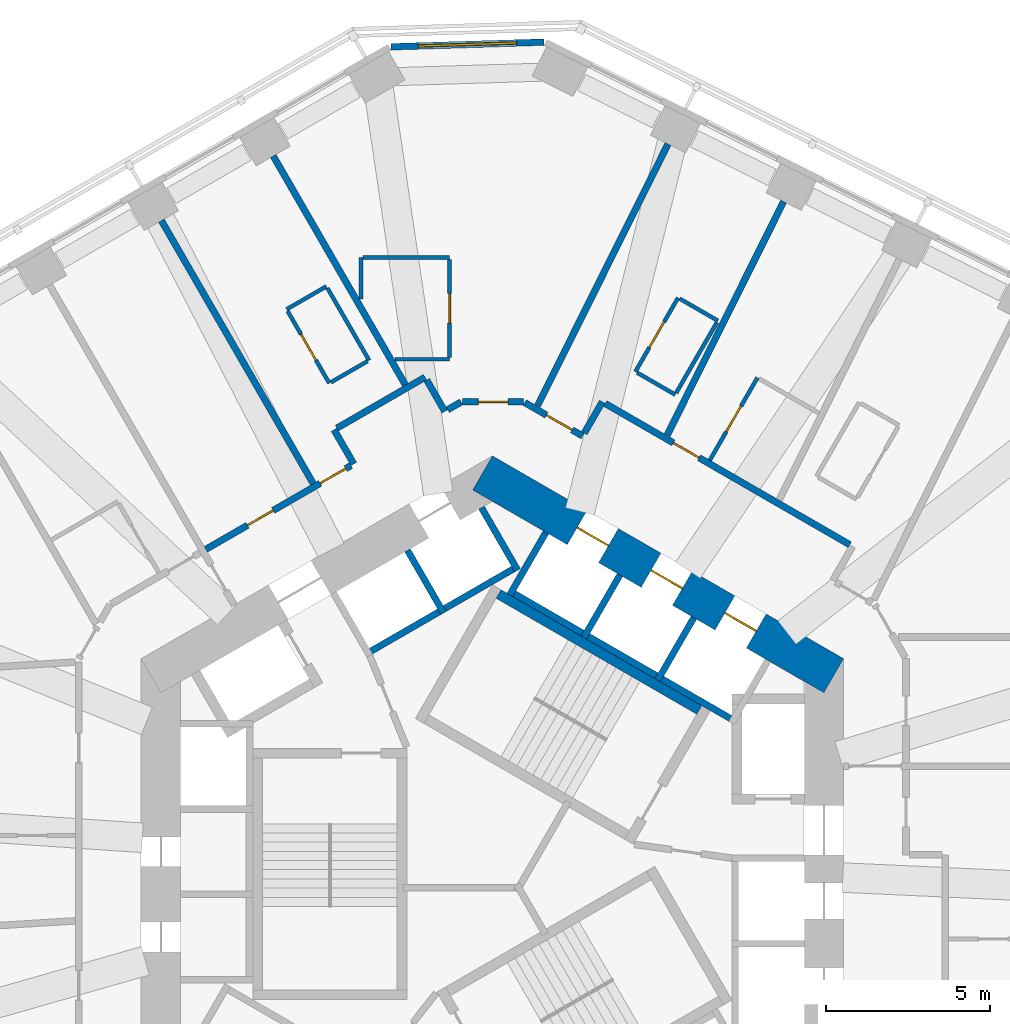
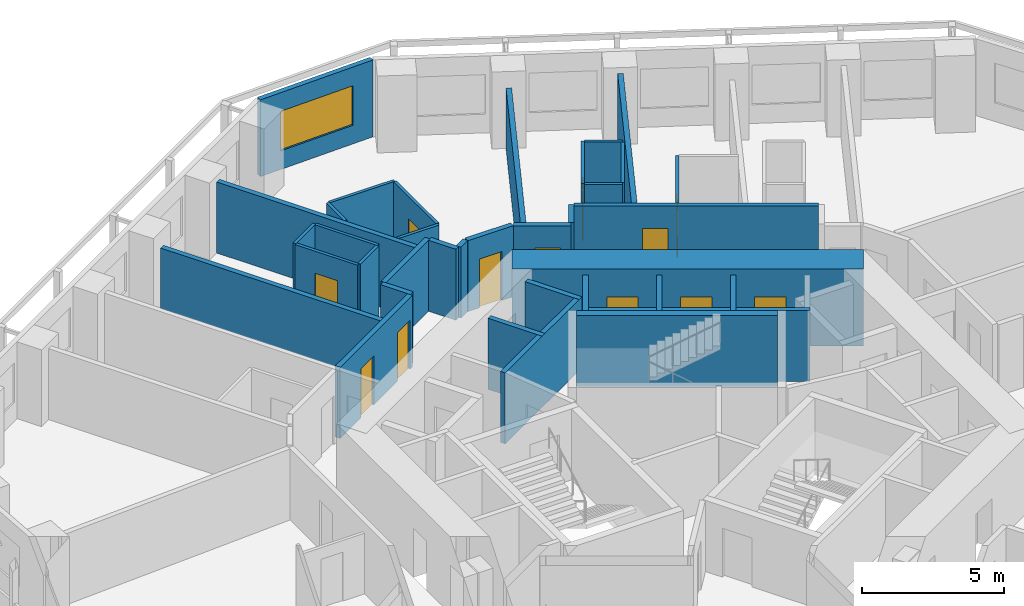
# One storey, part 8 of 12: 36 walls, 12 doors, 1 window, 13 openings.
"""IFC4 building model written with IfcOpenShell, lengths in metres."""

from ifc_helpers import new_model, si_unit, direction, frame, frame_2d, origin, place, context, subcontext, project, spatial, rectangle, extrude, material, layer, layer_set, type_object, element, fill, save


model = new_model("IFC4")

# Units and contexts
model_context = context("Model", 3, precision=1e-05, world=origin(), true_north=direction((0.0, 1.0)))
body_context = subcontext(model_context, "Body", "Model", "MODEL_VIEW")
ifc_project = project(units=[si_unit("LENGTHUNIT", "METRE"), si_unit("AREAUNIT", "SQUARE_METRE"), si_unit("VOLUMEUNIT", "CUBIC_METRE"), si_unit("PLANEANGLEUNIT", "RADIAN"), si_unit("MASSUNIT", "GRAM", prefix="KILO")], contexts=[model_context])

# Site, building, storey
site_placement = place(None, origin())
site = spatial("IfcSite", under=ifc_project, at=site_placement, CompositionType="ELEMENT")
building_placement = place(site_placement, origin())
building = spatial("IfcBuilding", under=site, at=building_placement, Name="Vanh Sen Convention Tower", CompositionType="ELEMENT")
storey_placement = place(building_placement, frame((0.0, 0.0, 63.800048828125)))
storey = spatial("IfcBuildingStorey", under=building, at=storey_placement, Name="L13", CompositionType="ELEMENT", Elevation=63.800048828125)

# Walls
ifc_material_1 = material(Name="Moisture-resistant gypsum board on steel studs", Category="steel")
ifc_layer_1 = layer(ifc_material_1, 0.1201171875)
ifc_layer_set_1 = layer_set([ifc_layer_1], Name="Moisture-resistant gypsum board on steel studs")
wall_type_1 = type_object("IfcWallType", Name="Bathroom partition 120", PredefinedType="PARTITIONING", material=ifc_layer_set_1)
wall_1_placement = place(storey_placement, frame((-6.268310546875, 16.8203125, 0.0), z_axis=(0.0, 0.0, 1.0), x_axis=(0.866002662425, 0.500039387122, 0.0)))
element("IfcWall", 1, at=wall_1_placement, inside=storey, type_object=wall_type_1, Name="Bathroom partition 120", PredefinedType="PARTITIONING", context=body_context, shape_type="SweptSolid", body=[
    extrude(rectangle(XDim=1.400390625, YDim=0.1201171875, at=frame_2d((0.7001953125, 0.0))), origin(), (0.0, 0.0, 1.0), 3.050048828125),
])
wall_2_placement = place(storey_placement, frame((-5.025634765625, 17.468505859375, 0.0), z_axis=(0.0, 0.0, 1.0), x_axis=(0.500005339912, -0.866022320763, 0.0)))
element("IfcWall", 2, at=wall_2_placement, inside=storey, type_object=wall_type_1, Name="Bathroom partition 120", PredefinedType="PARTITIONING", context=body_context, shape_type="SweptSolid", body=[
    extrude(rectangle(XDim=2.5400390625, YDim=0.1201171875, at=frame_2d((1.27001953125, 0.0))), origin(), (0.0, 0.0, 1.0), 3.050048828125),
])

# Wall, opening, door
wall_3_placement = place(storey_placement, frame((-4.96826171875, 14.56884765625, 0.0), z_axis=(0.0, 0.0, 1.0), x_axis=(-0.500046963369, 0.865998287773, 0.0)))
wall_3 = element("IfcWall", 3, at=wall_3_placement, inside=storey, type_object=wall_type_1, Name="Bathroom partition 120", PredefinedType="PARTITIONING", context=body_context, shape_type="SweptSolid", body=[
    extrude(rectangle(XDim=2.539794921875, YDim=0.1201171875, at=frame_2d((1.27001953125, 0.0))), origin(), (0.0, 0.0, 1.0), 3.050048828125),
])
opening_1_placement = place(wall_3_placement, frame((0.820068359375, 0.0, 0.0)))
opening_1 = element("IfcOpeningElement", 4, at=opening_1_placement, cuts=wall_3, Name="Opening D13114", PredefinedType="OPENING", context=body_context, shape_type="SweptSolid", body=[
    extrude(rectangle(XDim=0.89990234375, YDim=2.10009765625, at=frame_2d((0.449951171875, 1.050048828125))), frame((0.0, 0.070068359375, 0.0), z_axis=(0.0, -1.0, 0.0), x_axis=(1.0, 0.0, 0.0)), (0.0, 0.0, 1.0), 0.14013671875),
])
ifc_material_2 = material(Name="Laminate door in steel frame", Category="steel")
door_type_1 = type_object("IfcDoorType", Name="En-suite door 900", OperationType="SINGLE_SWING_LEFT", PredefinedType="DOOR", material=ifc_material_2)
door_1_placement = place(opening_1_placement, origin())
door_1 = element("IfcDoor", 5, at=door_1_placement, inside=storey, type_object=door_type_1, Name="En-suite door D13114", OperationType="SINGLE_SWING_LEFT", OverallHeight=2.10009765625, OverallWidth=0.89990234375, PredefinedType="DOOR", context=body_context, shape_type="SweptSolid", body=[
    extrude(rectangle(XDim=0.89990234375, YDim=2.10009765625, at=frame_2d((0.449951171875, 1.050048828125))), frame((0.0, 0.02490234375, 0.0), z_axis=(0.0, -1.0, 0.0), x_axis=(1.0, 0.0, 0.0)), (0.0, 0.0, 1.0), 0.050048828125),
])
fill(opening_1, door_1)

# Walls
wall_4_placement = place(storey_placement, frame((-4.0, 17.137451171875, 0.0), z_axis=(0.0, 0.0, 1.0), x_axis=(0.0, 1.0, 0.0)))
element("IfcWall", 6, at=wall_4_placement, inside=storey, type_object=wall_type_1, Name="Bathroom partition 120", PredefinedType="PARTITIONING", context=body_context, shape_type="SweptSolid", body=[
    extrude(rectangle(XDim=1.26318359375, YDim=0.1201171875, at=frame_2d((0.631591796875, 0.0))), origin(), (0.0, 0.0, 1.0), 3.050048828125),
])
wall_5_placement = place(storey_placement, frame((-3.93994140625, 18.400634765625, 0.0), z_axis=(0.0, 0.0, 1.0), x_axis=(1.0, 0.0, 0.0)))
element("IfcWall", 7, at=wall_5_placement, inside=storey, type_object=wall_type_1, Name="Bathroom partition 120", PredefinedType="PARTITIONING", context=body_context, shape_type="SweptSolid", body=[
    extrude(rectangle(XDim=2.639892578125, YDim=0.1201171875, at=frame_2d((1.31982421875, 0.0))), origin(), (0.0, 0.0, 1.0), 3.050048828125),
])
wall_6_placement = place(storey_placement, frame((-3.8076171875, 15.23876953125, 0.0), z_axis=(0.0, 0.0, 1.0), x_axis=(-0.866087136806, -0.499893060024, 0.0)))
element("IfcWall", 8, at=wall_6_placement, inside=storey, type_object=wall_type_1, Name="Bathroom partition 120", PredefinedType="PARTITIONING", context=body_context, shape_type="SweptSolid", body=[
    extrude(rectangle(XDim=1.280029296875, YDim=0.1201171875, at=frame_2d((0.64013671875, 0.0))), origin(), (0.0, 0.0, 1.0), 3.050048828125),
])
wall_7_placement = place(storey_placement, frame((-1.300048828125, 15.30078125, 0.0), z_axis=(0.0, 0.0, 1.0), x_axis=(-1.0, 0.0, 0.0)))
element("IfcWall", 9, at=wall_7_placement, inside=storey, type_object=wall_type_1, Name="Bathroom partition 120", PredefinedType="PARTITIONING", context=body_context, shape_type="SweptSolid", body=[
    extrude(rectangle(XDim=1.6611328125, YDim=0.1201171875, at=frame_2d((0.83056640625, 0.0))), origin(), (0.0, 0.0, 1.0), 3.050048828125),
])

# Wall, opening, door
wall_8_placement = place(storey_placement, frame((-1.300048828125, 18.3408203125, 0.0), z_axis=(0.0, 0.0, 1.0), x_axis=(0.0, -1.0, 0.0)))
wall_8 = element("IfcWall", 10, at=wall_8_placement, inside=storey, type_object=wall_type_1, Name="Bathroom partition 120", PredefinedType="PARTITIONING", context=body_context, shape_type="SweptSolid", body=[
    extrude(rectangle(XDim=2.980224609375, YDim=0.1201171875, at=frame_2d((1.490234375, 0.0))), origin(), (0.0, 0.0, 1.0), 3.050048828125),
])
opening_2_placement = place(wall_8_placement, frame((1.0400390625, 0.0, 0.0)))
opening_2 = element("IfcOpeningElement", 11, at=opening_2_placement, cuts=wall_8, Name="Opening D13112", PredefinedType="OPENING", context=body_context, shape_type="SweptSolid", body=[
    extrude(rectangle(XDim=0.89990234375, YDim=2.10009765625, at=frame_2d((0.449951171875, 1.050048828125))), frame((0.0, 0.070068359375, 0.0), z_axis=(0.0, -1.0, 0.0), x_axis=(1.0, 0.0, 0.0)), (0.0, 0.0, 1.0), 0.14013671875),
])
door_2_placement = place(opening_2_placement, origin())
door_2 = element("IfcDoor", 12, at=door_2_placement, inside=storey, type_object=door_type_1, Name="En-suite door D13112", OperationType="SINGLE_SWING_LEFT", OverallHeight=2.10009765625, OverallWidth=0.89990234375, PredefinedType="DOOR", context=body_context, shape_type="SweptSolid", body=[
    extrude(rectangle(XDim=0.89990234375, YDim=2.10009765625, at=frame_2d((0.449951171875, 1.050048828125))), frame((0.0, 0.02490234375, 0.0), z_axis=(0.0, -1.0, 0.0), x_axis=(1.0, 0.0, 0.0)), (0.0, 0.0, 1.0), 0.050048828125),
])
fill(opening_2, door_2)

wall_9_placement = place(storey_placement, frame((4.356201171875, 14.922119140625, 0.0), z_axis=(0.0, 0.0, 1.0), x_axis=(0.499936506574, 0.866062058628, 0.0)))
wall_9 = element("IfcWall", 13, at=wall_9_placement, inside=storey, type_object=wall_type_1, Name="Bathroom partition 120", PredefinedType="PARTITIONING", context=body_context, shape_type="SweptSolid", body=[
    extrude(rectangle(XDim=2.599853515625, YDim=0.1201171875, at=frame_2d((1.2998046875, 0.0))), origin(), (0.0, 0.0, 1.0), 3.050048828125),
])
opening_3_placement = place(wall_9_placement, frame((0.85009765625, 0.0, 0.0)))
opening_3 = element("IfcOpeningElement", 14, at=opening_3_placement, cuts=wall_9, Name="Opening D13110", PredefinedType="OPENING", context=body_context, shape_type="SweptSolid", body=[
    extrude(rectangle(XDim=0.89990234375, YDim=2.10009765625, at=frame_2d((0.449951171875, 1.050048828125))), frame((0.0, 0.070068359375, 0.0), z_axis=(0.0, -1.0, 0.0), x_axis=(1.0, 0.0, 0.0)), (0.0, 0.0, 1.0), 0.14013671875),
])
door_3_placement = place(opening_3_placement, origin())
door_3 = element("IfcDoor", 15, at=door_3_placement, inside=storey, type_object=door_type_1, Name="En-suite door D13110", OperationType="SINGLE_SWING_LEFT", OverallHeight=2.10009765625, OverallWidth=0.89990234375, PredefinedType="DOOR", context=body_context, shape_type="SweptSolid", body=[
    extrude(rectangle(XDim=0.89990234375, YDim=2.10009765625, at=frame_2d((0.449951171875, 1.050048828125))), frame((0.0, 0.02490234375, 0.0), z_axis=(0.0, -1.0, 0.0), x_axis=(1.0, 0.0, 0.0)), (0.0, 0.0, 1.0), 0.050048828125),
])
fill(opening_3, door_3)

# Walls
wall_10_placement = place(storey_placement, frame((5.568603515625, 14.22216796875, 0.0), z_axis=(0.0, 0.0, 1.0), x_axis=(-0.866036909293, 0.499980071345, 0.0)))
element("IfcWall", 16, at=wall_10_placement, inside=storey, type_object=wall_type_1, Name="Bathroom partition 120", PredefinedType="PARTITIONING", context=body_context, shape_type="SweptSolid", body=[
    extrude(rectangle(XDim=1.33984375, YDim=0.1201171875, at=frame_2d((0.669921875, 0.0))), origin(), (0.0, 0.0, 1.0), 3.050048828125),
])
wall_11_placement = place(storey_placement, frame((5.7080078125, 17.143798828125, 0.0), z_axis=(0.0, 0.0, 1.0), x_axis=(0.866082447003, -0.499901185229, 0.0)))
element("IfcWall", 17, at=wall_11_placement, inside=storey, type_object=wall_type_1, Name="Bathroom partition 120", PredefinedType="PARTITIONING", context=body_context, shape_type="SweptSolid", body=[
    extrude(rectangle(XDim=1.340087890625, YDim=0.1201171875, at=frame_2d((0.669921875, 0.0))), origin(), (0.0, 0.0, 1.0), 3.050048828125),
])

# Wall, opening, door
wall_12_placement = place(storey_placement, frame((6.624755859375, 12.226806640625, 0.0), z_axis=(0.0, 0.0, 1.0), x_axis=(0.500023687443, 0.866011727401, 0.0)))
wall_12 = element("IfcWall", 18, at=wall_12_placement, inside=storey, type_object=wall_type_1, Name="Bathroom partition 120", PredefinedType="PARTITIONING", context=body_context, shape_type="SweptSolid", body=[
    extrude(rectangle(XDim=2.899658203125, YDim=0.1201171875, at=frame_2d((1.44970703125, 0.0))), origin(), (0.0, 0.0, 1.0), 3.050048828125),
])
opening_4_placement = place(wall_12_placement, frame((1.0, 0.0, 0.0)))
opening_4 = element("IfcOpeningElement", 19, at=opening_4_placement, cuts=wall_12, Name="Opening D13108", PredefinedType="OPENING", context=body_context, shape_type="SweptSolid", body=[
    extrude(rectangle(XDim=0.89990234375, YDim=2.10009765625, at=frame_2d((0.449951171875, 1.050048828125))), frame((0.0, 0.070068359375, 0.0), z_axis=(0.0, -1.0, 0.0), x_axis=(1.0, 0.0, 0.0)), (0.0, 0.0, 1.0), 0.14013671875),
])
door_4_placement = place(opening_4_placement, origin())
door_4 = element("IfcDoor", 20, at=door_4_placement, inside=storey, type_object=door_type_1, Name="En-suite door D13108", OperationType="SINGLE_SWING_LEFT", OverallHeight=2.10009765625, OverallWidth=0.89990234375, PredefinedType="DOOR", context=body_context, shape_type="SweptSolid", body=[
    extrude(rectangle(XDim=0.89990234375, YDim=2.10009765625, at=frame_2d((0.449951171875, 1.050048828125))), frame((0.0, 0.02490234375, 0.0), z_axis=(0.0, -1.0, 0.0), x_axis=(1.0, 0.0, 0.0)), (0.0, 0.0, 1.0), 0.050048828125),
])
fill(opening_4, door_4)

# Wall
wall_13_placement = place(storey_placement, frame((6.838623046875, 16.421875, 0.0), z_axis=(0.0, 0.0, 1.0), x_axis=(-0.50000366821, -0.866023285932, 0.0)))
element("IfcWall", 21, at=wall_13_placement, inside=storey, type_object=wall_type_1, Name="Bathroom partition 120", PredefinedType="PARTITIONING", context=body_context, shape_type="SweptSolid", body=[
    extrude(rectangle(XDim=2.47998046875, YDim=0.1201171875, at=frame_2d((1.239990234375, 0.0))), origin(), (0.0, 0.0, 1.0), 3.050048828125),
])

# Wall, openings, doors
ifc_material_3 = material(Name="Concrete C80/95", Category="concrete")
ifc_layer_2 = layer(ifc_material_3, 1.199951171875)
ifc_layer_set_2 = layer_set([ifc_layer_2], Name="Concrete C80/95")
wall_type_2 = type_object("IfcWallType", Name="Core outer wall 1200 C80/95", PredefinedType="SHEAR", material=ifc_layer_set_2)
wall_14_placement = place(storey_placement, frame((10.39990234375, 5.657958984375, 0.0), z_axis=(0.0, 0.0, 1.0), x_axis=(-0.866021384402, 0.500006961711, 0.0)))
wall_14 = element("IfcWall", 22, at=wall_14_placement, inside=storey, type_object=wall_type_2, Name="Core wall face NE L13", PredefinedType="SHEAR", context=body_context, shape_type="SweptSolid", body=[
    extrude(rectangle(XDim=12.355224609375, YDim=1.199951171875, at=frame_2d((6.177734375, 0.0))), origin(), (0.0, 0.0, 1.0), 3.300048828125),
])
opening_5_placement = place(wall_14_placement, frame((2.727783203125, 0.0, 0.0)))
opening_5 = element("IfcOpeningElement", 23, at=opening_5_placement, cuts=wall_14, Name="Opening LD-LR3", PredefinedType="OPENING", context=body_context, shape_type="SweptSolid", body=[
    extrude(rectangle(XDim=1.10009765625, YDim=2.10009765625, at=frame_2d((0.550048828125, 1.050048828125))), frame((0.0, 0.60986328125, 0.0), z_axis=(0.0, -1.0, 0.0), x_axis=(1.0, 0.0, 0.0)), (0.0, 0.0, 1.0), 1.219970703125),
])
opening_6_placement = place(wall_14_placement, frame((5.32763671875, 0.0, 0.0)))
opening_6 = element("IfcOpeningElement", 24, at=opening_6_placement, cuts=wall_14, Name="Opening LD-LR4", PredefinedType="OPENING", context=body_context, shape_type="SweptSolid", body=[
    extrude(rectangle(XDim=1.10009765625, YDim=2.10009765625, at=frame_2d((0.550048828125, 1.050048828125))), frame((0.0, 0.60986328125, 0.0), z_axis=(0.0, -1.0, 0.0), x_axis=(1.0, 0.0, 0.0)), (0.0, 0.0, 1.0), 1.219970703125),
])
opening_7_placement = place(wall_14_placement, frame((7.927734375, 0.0, 0.0)))
opening_7 = element("IfcOpeningElement", 25, at=opening_7_placement, cuts=wall_14, Name="Opening LD-LR5", PredefinedType="OPENING", context=body_context, shape_type="SweptSolid", body=[
    extrude(rectangle(XDim=1.10009765625, YDim=2.10009765625, at=frame_2d((0.550048828125, 1.050048828125))), frame((0.0, 0.60986328125, 0.0), z_axis=(0.0, -1.0, 0.0), x_axis=(1.0, 0.0, 0.0)), (0.0, 0.0, 1.0), 1.219970703125),
])
ifc_material_4 = material(Name="Stainless steel", Category="steel")
door_type_2 = type_object("IfcDoorType", Name="Lift landing door 1100", OperationType="DOUBLE_DOOR_SLIDING", PredefinedType="DOOR", material=ifc_material_4)
door_5_placement = place(opening_5_placement, origin())
door_5 = element("IfcDoor", 26, at=door_5_placement, inside=storey, type_object=door_type_2, Name="Lift LR3 landing door LD-LR3", OperationType="DOUBLE_DOOR_SLIDING", OverallHeight=2.10009765625, OverallWidth=1.10009765625, PredefinedType="DOOR", context=body_context, shape_type="SweptSolid", body=[
    extrude(rectangle(XDim=1.10009765625, YDim=2.10009765625, at=frame_2d((0.550048828125, 1.050048828125))), frame((0.0, 0.02490234375, 0.0), z_axis=(0.0, -1.0, 0.0), x_axis=(1.0, 0.0, 0.0)), (0.0, 0.0, 1.0), 0.050048828125),
])
fill(opening_5, door_5)
door_6_placement = place(opening_6_placement, origin())
door_6 = element("IfcDoor", 27, at=door_6_placement, inside=storey, type_object=door_type_2, Name="Lift LR4 landing door LD-LR4", OperationType="DOUBLE_DOOR_SLIDING", OverallHeight=2.10009765625, OverallWidth=1.10009765625, PredefinedType="DOOR", context=body_context, shape_type="SweptSolid", body=[
    extrude(rectangle(XDim=1.10009765625, YDim=2.10009765625, at=frame_2d((0.550048828125, 1.050048828125))), frame((0.0, 0.02490234375, 0.0), z_axis=(0.0, -1.0, 0.0), x_axis=(1.0, 0.0, 0.0)), (0.0, 0.0, 1.0), 0.050048828125),
])
fill(opening_6, door_6)
door_7_placement = place(opening_7_placement, origin())
door_7 = element("IfcDoor", 28, at=door_7_placement, inside=storey, type_object=door_type_2, Name="Lift LR5 landing door LD-LR5", OperationType="DOUBLE_DOOR_SLIDING", OverallHeight=2.10009765625, OverallWidth=1.10009765625, PredefinedType="DOOR", context=body_context, shape_type="SweptSolid", body=[
    extrude(rectangle(XDim=1.10009765625, YDim=2.10009765625, at=frame_2d((0.550048828125, 1.050048828125))), frame((0.0, 0.02490234375, 0.0), z_axis=(0.0, -1.0, 0.0), x_axis=(1.0, 0.0, 0.0)), (0.0, 0.0, 1.0), 0.050048828125),
])
fill(opening_7, door_7)

# Wall
ifc_material_5 = material(Name="Gypsum board on steel studs with mineral wool", Category="steel")
ifc_layer_3 = layer(ifc_material_5, 0.199951171875)
ifc_layer_set_3 = layer_set([ifc_layer_3], Name="Gypsum board on steel studs with mineral wool")
wall_type_3 = type_object("IfcWallType", Name="Corridor partition wall 200", PredefinedType="PARTITIONING", material=ifc_layer_set_3)
wall_15_placement = place(storey_placement, frame((-4.822998046875, 13.151611328125, 0.0), z_axis=(0.0, 0.0, 1.0), x_axis=(0.499986357472, -0.866033280158, 0.0)))
element("IfcWall", 29, at=wall_15_placement, inside=storey, type_object=wall_type_3, Name="Corridor partition wall 200", PredefinedType="PARTITIONING", context=body_context, shape_type="SweptSolid", body=[
    extrude(rectangle(XDim=1.201171875, YDim=0.199951171875, at=frame_2d((0.6005859375, 0.0))), origin(), (0.0, 0.0, 1.0), 3.050048828125),
])

# Wall, openings, doors
wall_16_placement = place(storey_placement, frame((-4.30908203125, 12.061279296875, 0.0), z_axis=(0.0, 0.0, 1.0), x_axis=(-0.866020679205, -0.500008183122, 0.0)))
wall_16 = element("IfcWall", 30, at=wall_16_placement, inside=storey, type_object=wall_type_3, Name="Corridor partition wall 200", PredefinedType="PARTITIONING", context=body_context, shape_type="SweptSolid", body=[
    extrude(rectangle(XDim=5.103515625, YDim=0.199951171875, at=frame_2d((2.5517578125, 0.0))), origin(), (0.0, 0.0, 1.0), 3.050048828125),
])
opening_8_placement = place(wall_16_placement, frame((0.1845703125, 0.0, 0.0)))
opening_8 = element("IfcOpeningElement", 31, at=opening_8_placement, cuts=wall_16, Name="Opening D13113", PredefinedType="OPENING", context=body_context, shape_type="SweptSolid", body=[
    extrude(rectangle(XDim=0.89990234375, YDim=2.10009765625, at=frame_2d((0.449951171875, 1.050048828125))), frame((0.0, 0.10986328125, 0.0), z_axis=(0.0, -1.0, 0.0), x_axis=(1.0, 0.0, 0.0)), (0.0, 0.0, 1.0), 0.219970703125),
])
opening_9_placement = place(wall_16_placement, frame((2.736083984375, 0.0, 0.0)))
opening_9 = element("IfcOpeningElement", 32, at=opening_9_placement, cuts=wall_16, Name="Opening D13115", PredefinedType="OPENING", context=body_context, shape_type="SweptSolid", body=[
    extrude(rectangle(XDim=0.89990234375, YDim=2.10009765625, at=frame_2d((0.449951171875, 1.050048828125))), frame((0.0, 0.10986328125, 0.0), z_axis=(0.0, -1.0, 0.0), x_axis=(1.0, 0.0, 0.0)), (0.0, 0.0, 1.0), 0.219970703125),
])
ifc_material_6 = material(Name="Timber fire door in steel frame", Category="steel")
door_type_3 = type_object("IfcDoorType", Name="Floor service door 900", OperationType="SINGLE_SWING_LEFT", PredefinedType="DOOR", material=ifc_material_6)
door_8_placement = place(opening_9_placement, origin())
door_8 = element("IfcDoor", 33, at=door_8_placement, inside=storey, type_object=door_type_3, Name="Service room door D13115", OperationType="SINGLE_SWING_LEFT", OverallHeight=2.10009765625, OverallWidth=0.89990234375, PredefinedType="DOOR", context=body_context, shape_type="SweptSolid", body=[
    extrude(rectangle(XDim=0.89990234375, YDim=2.10009765625, at=frame_2d((0.449951171875, 1.050048828125))), frame((0.0, 0.02490234375, 0.0), z_axis=(0.0, -1.0, 0.0), x_axis=(1.0, 0.0, 0.0)), (0.0, 0.0, 1.0), 0.050048828125),
])
fill(opening_9, door_8)
door_type_4 = type_object("IfcDoorType", Name="Guest room door 900", OperationType="SINGLE_SWING_LEFT", PredefinedType="DOOR", material=ifc_material_6)
door_9_placement = place(opening_8_placement, origin())
door_9 = element("IfcDoor", 34, at=door_9_placement, inside=storey, type_object=door_type_4, Name="Hotel guest room door D13113", OperationType="SINGLE_SWING_LEFT", OverallHeight=2.10009765625, OverallWidth=0.89990234375, PredefinedType="DOOR", context=body_context, shape_type="SweptSolid", body=[
    extrude(rectangle(XDim=0.89990234375, YDim=2.10009765625, at=frame_2d((0.449951171875, 1.050048828125))), frame((0.0, 0.02490234375, 0.0), z_axis=(0.0, -1.0, 0.0), x_axis=(1.0, 0.0, 0.0)), (0.0, 0.0, 1.0), 0.050048828125),
])
fill(opening_8, door_9)

# Walls
wall_17_placement = place(storey_placement, frame((-2.0498046875, 14.75244140625, 0.0), z_axis=(0.0, 0.0, 1.0), x_axis=(-0.866030936828, -0.499990416364, 0.0)))
element("IfcWall", 35, at=wall_17_placement, inside=storey, type_object=wall_type_3, Name="Corridor partition wall 200", PredefinedType="PARTITIONING", context=body_context, shape_type="SweptSolid", body=[
    extrude(rectangle(XDim=3.10205078125, YDim=0.199951171875, at=frame_2d((1.551025390625, 0.0))), origin(), (0.0, 0.0, 1.0), 3.050048828125),
])
wall_18_placement = place(storey_placement, frame((-1.449462890625, 13.71240234375, 0.0), z_axis=(0.0, 0.0, 1.0), x_axis=(-0.499978356969, 0.866037899034, 0.0)))
element("IfcWall", 36, at=wall_18_placement, inside=storey, type_object=wall_type_3, Name="Corridor partition wall 200", PredefinedType="PARTITIONING", context=body_context, shape_type="SweptSolid", body=[
    extrude(rectangle(XDim=1.10107421875, YDim=0.199951171875, at=frame_2d((0.550537109375, 0.0))), origin(), (0.0, 0.0, 1.0), 3.050048828125),
])
wall_19_placement = place(storey_placement, frame((-0.949951171875, 14.000732421875, 0.0), z_axis=(0.0, 0.0, 1.0), x_axis=(-0.86609177584, -0.499885022602, 0.0)))
element("IfcWall", 37, at=wall_19_placement, inside=storey, type_object=wall_type_3, Name="Corridor partition wall 200", PredefinedType="PARTITIONING", context=body_context, shape_type="SweptSolid", body=[
    extrude(rectangle(XDim=0.4765625, YDim=0.199951171875, at=frame_2d((0.23828125, 0.0))), origin(), (0.0, 0.0, 1.0), 3.050048828125),
])

# Wall, opening, door
wall_20_placement = place(storey_placement, frame((0.949951171875, 14.000732421875, 0.0), z_axis=(0.0, 0.0, 1.0), x_axis=(-1.0, 0.0, 0.0)))
wall_20 = element("IfcWall", 38, at=wall_20_placement, inside=storey, type_object=wall_type_3, Name="Corridor partition wall 200", PredefinedType="PARTITIONING", context=body_context, shape_type="SweptSolid", body=[
    extrude(rectangle(XDim=1.85986328125, YDim=0.199951171875, at=frame_2d((0.929931640625, 0.0))), origin(), (0.0, 0.0, 1.0), 3.050048828125),
])
opening_10_placement = place(wall_20_placement, frame((0.47998046875, 0.0, 0.0)))
opening_10 = element("IfcOpeningElement", 39, at=opening_10_placement, cuts=wall_20, Name="Opening D13111", PredefinedType="OPENING", context=body_context, shape_type="SweptSolid", body=[
    extrude(rectangle(XDim=0.89990234375, YDim=2.10009765625, at=frame_2d((0.449951171875, 1.050048828125))), frame((0.0, 0.10986328125, 0.0), z_axis=(0.0, -1.0, 0.0), x_axis=(1.0, 0.0, 0.0)), (0.0, 0.0, 1.0), 0.219970703125),
])
door_10_placement = place(opening_10_placement, origin())
door_10 = element("IfcDoor", 40, at=door_10_placement, inside=storey, type_object=door_type_4, Name="Hotel guest room door D13111", OperationType="SINGLE_SWING_LEFT", OverallHeight=2.10009765625, OverallWidth=0.89990234375, PredefinedType="DOOR", context=body_context, shape_type="SweptSolid", body=[
    extrude(rectangle(XDim=0.89990234375, YDim=2.10009765625, at=frame_2d((0.449951171875, 1.050048828125))), frame((0.0, 0.02490234375, 0.0), z_axis=(0.0, -1.0, 0.0), x_axis=(1.0, 0.0, 0.0)), (0.0, 0.0, 1.0), 0.050048828125),
])
fill(opening_10, door_10)

wall_21_placement = place(storey_placement, frame((2.748291015625, 12.96240234375, 0.0), z_axis=(0.0, 0.0, 1.0), x_axis=(-0.866013897511, 0.50001992892, 0.0)))
wall_21 = element("IfcWall", 41, at=wall_21_placement, inside=storey, type_object=wall_type_3, Name="Corridor partition wall 200", PredefinedType="PARTITIONING", context=body_context, shape_type="SweptSolid", body=[
    extrude(rectangle(XDim=2.03662109375, YDim=0.199951171875, at=frame_2d((1.018310546875, 0.0))), origin(), (0.0, 0.0, 1.0), 3.050048828125),
])
opening_11_placement = place(wall_21_placement, frame((0.371826171875, 0.0, 0.0)))
opening_11 = element("IfcOpeningElement", 42, at=opening_11_placement, cuts=wall_21, Name="Opening D13109", PredefinedType="OPENING", context=body_context, shape_type="SweptSolid", body=[
    extrude(rectangle(XDim=0.89990234375, YDim=2.10009765625, at=frame_2d((0.449951171875, 1.050048828125))), frame((0.0, 0.10986328125, 0.0), z_axis=(0.0, -1.0, 0.0), x_axis=(1.0, 0.0, 0.0)), (0.0, 0.0, 1.0), 0.219970703125),
])
door_11_placement = place(opening_11_placement, origin())
door_11 = element("IfcDoor", 43, at=door_11_placement, inside=storey, type_object=door_type_4, Name="Hotel guest room door D13109", OperationType="SINGLE_SWING_LEFT", OverallHeight=2.10009765625, OverallWidth=0.89990234375, PredefinedType="DOOR", context=body_context, shape_type="SweptSolid", body=[
    extrude(rectangle(XDim=0.89990234375, YDim=2.10009765625, at=frame_2d((0.449951171875, 1.050048828125))), frame((0.0, 0.02490234375, 0.0), z_axis=(0.0, -1.0, 0.0), x_axis=(1.0, 0.0, 0.0)), (0.0, 0.0, 1.0), 0.050048828125),
])
fill(opening_11, door_11)

# Wall
wall_22_placement = place(storey_placement, frame((3.348876953125, 14.00244140625, 0.0), z_axis=(0.0, 0.0, 1.0), x_axis=(-0.500074377092, -0.865982457891, 0.0)))
element("IfcWall", 44, at=wall_22_placement, inside=storey, type_object=wall_type_3, Name="Corridor partition wall 200", PredefinedType="PARTITIONING", context=body_context, shape_type="SweptSolid", body=[
    extrude(rectangle(XDim=1.100830078125, YDim=0.199951171875, at=frame_2d((0.55029296875, 0.0))), origin(), (0.0, 0.0, 1.0), 3.050048828125),
])

# Wall, opening, door
wall_23_placement = place(storey_placement, frame((10.885009765625, 9.651611328125, 0.0), z_axis=(0.0, 0.0, 1.0), x_axis=(-0.866033868542, 0.499985338323, 0.0)))
wall_23 = element("IfcWall", 45, at=wall_23_placement, inside=storey, type_object=wall_type_3, Name="Corridor partition wall 200", PredefinedType="PARTITIONING", context=body_context, shape_type="SweptSolid", body=[
    extrude(rectangle(XDim=8.601806640625, YDim=0.199951171875, at=frame_2d((4.30078125, 0.0))), origin(), (0.0, 0.0, 1.0), 3.050048828125),
])
opening_12_placement = place(wall_23_placement, frame((5.302001953125, 0.0, 0.0)))
opening_12 = element("IfcOpeningElement", 46, at=opening_12_placement, cuts=wall_23, Name="Opening D13107", PredefinedType="OPENING", context=body_context, shape_type="SweptSolid", body=[
    extrude(rectangle(XDim=0.89990234375, YDim=2.10009765625, at=frame_2d((0.449951171875, 1.050048828125))), frame((0.0, 0.10986328125, 0.0), z_axis=(0.0, -1.0, 0.0), x_axis=(1.0, 0.0, 0.0)), (0.0, 0.0, 1.0), 0.219970703125),
])
door_12_placement = place(opening_12_placement, origin())
door_12 = element("IfcDoor", 47, at=door_12_placement, inside=storey, type_object=door_type_4, Name="Hotel guest room door D13107", OperationType="SINGLE_SWING_LEFT", OverallHeight=2.10009765625, OverallWidth=0.89990234375, PredefinedType="DOOR", context=body_context, shape_type="SweptSolid", body=[
    extrude(rectangle(XDim=0.89990234375, YDim=2.10009765625, at=frame_2d((0.449951171875, 1.050048828125))), frame((0.0, 0.02490234375, 0.0), z_axis=(0.0, -1.0, 0.0), x_axis=(1.0, 0.0, 0.0)), (0.0, 0.0, 1.0), 0.050048828125),
])
fill(opening_12, door_12)

# Wall, opening, window
ifc_material_7 = material(Name="Insulated lightweight infill wall")
ifc_layer_4 = layer(ifc_material_7, 0.199951171875)
ifc_layer_set_4 = layer_set([ifc_layer_4], Name="Insulated lightweight infill wall")
wall_type_4 = type_object("IfcWallType", Name="External wall 200", PredefinedType="STANDARD", material=ifc_layer_set_4)
wall_24_placement = place(storey_placement, frame((1.568359375, 24.9609375, 0.0), z_axis=(0.0, 0.0, 1.0), x_axis=(-0.999533359013, -0.030546099927, 0.0)))
wall_24 = element("IfcWall", 48, at=wall_24_placement, inside=storey, type_object=wall_type_4, Name="External wall CH2 L13", PredefinedType="STANDARD", context=body_context, shape_type="SweptSolid", body=[
    extrude(rectangle(XDim=4.65966796875, YDim=0.199951171875, at=frame_2d((2.329833984375, 0.0))), origin(), (0.0, 0.0, 1.0), 3.300048828125),
])
opening_13_placement = place(wall_24_placement, frame((0.829833984375, 0.0, 0.800048828125)))
opening_13 = element("IfcOpeningElement", 49, at=opening_13_placement, cuts=wall_24, Name="Opening WH2-CH21", PredefinedType="OPENING", context=body_context, shape_type="SweptSolid", body=[
    extrude(rectangle(XDim=3.0, YDim=1.699951171875, at=frame_2d((1.5, 0.85009765625))), frame((0.0, 0.10986328125, 0.0), z_axis=(0.0, -1.0, 0.0), x_axis=(1.0, 0.0, 0.0)), (0.0, 0.0, 1.0), 0.219970703125),
])
ifc_material_8 = material(Name="Aluminium frame with clear low-emissivity glass", Category="aluminium")
window_type = type_object("IfcWindowType", Name="Hotel window 3000 x 1700", PartitioningType="SINGLE_PANEL", PredefinedType="WINDOW", material=ifc_material_8)
window_placement = place(opening_13_placement, origin())
window = element("IfcWindow", 50, at=window_placement, inside=storey, type_object=window_type, Name="Window WH2-CH21", OverallHeight=1.699951171875, OverallWidth=3.0, PartitioningType="SINGLE_PANEL", PredefinedType="WINDOW", context=body_context, shape_type="SweptSolid", body=[
    extrude(rectangle(XDim=3.0, YDim=1.699951171875, at=frame_2d((1.5, 0.85009765625))), frame((0.0, 0.030029296875, 0.0), z_axis=(0.0, -1.0, 0.0), x_axis=(1.0, 0.0, 0.0)), (0.0, 0.0, 1.0), 0.06005859375),
])
fill(opening_13, window)

# Walls
ifc_layer_5 = layer(ifc_material_5, 0.199951171875)
ifc_layer_set_5 = layer_set([ifc_layer_5], Name="Gypsum board on steel studs with mineral wool")
wall_type_5 = type_object("IfcWallType", Name="Hotel party wall 200", PredefinedType="PARTITIONING", material=ifc_layer_set_5)
wall_25_placement = place(storey_placement, frame((-10.0830078125, 19.5244140625, 0.0), z_axis=(0.0, 0.0, 1.0), x_axis=(0.499999662836, -0.866025598446, 0.0)))
element("IfcWall", 51, at=wall_25_placement, inside=storey, type_object=wall_type_5, Name="Hotel party wall 200", PredefinedType="PARTITIONING", context=body_context, shape_type="SweptSolid", body=[
    extrude(rectangle(XDim=9.25, YDim=0.199951171875, at=frame_2d((4.625, 0.0))), origin(), (0.0, 0.0, 1.0), 2.599853515625),
])
wall_26_placement = place(storey_placement, frame((-6.675537109375, 21.49169921875, 0.0), z_axis=(0.0, 0.0, 1.0), x_axis=(0.500011263043, -0.866018900966, 0.0)))
element("IfcWall", 52, at=wall_26_placement, inside=storey, type_object=wall_type_5, Name="Hotel party wall 200", PredefinedType="PARTITIONING", context=body_context, shape_type="SweptSolid", body=[
    extrude(rectangle(XDim=8.049072265625, YDim=0.199951171875, at=frame_2d((4.0244140625, 0.0))), origin(), (0.0, 0.0, 1.0), 3.050048828125),
])
wall_27_placement = place(storey_placement, frame((5.35107421875, 21.859130859375, 0.0), z_axis=(0.0, 0.0, 1.0), x_axis=(-0.446205309328, -0.894930624086, 0.0)))
element("IfcWall", 53, at=wall_27_placement, inside=storey, type_object=wall_type_5, Name="Hotel party wall 200", PredefinedType="PARTITIONING", context=body_context, shape_type="SweptSolid", body=[
    extrude(rectangle(XDim=8.9130859375, YDim=0.199951171875, at=frame_2d((4.45654296875, 0.0))), origin(), (0.0, 0.0, 1.0), 2.599853515625),
])
wall_28_placement = place(storey_placement, frame((8.872314453125, 20.103515625, 0.0), z_axis=(0.0, 0.0, 1.0), x_axis=(-0.446218378653, -0.894924107706, 0.0)))
element("IfcWall", 54, at=wall_28_placement, inside=storey, type_object=wall_type_5, Name="Hotel party wall 200", PredefinedType="PARTITIONING", context=body_context, shape_type="SweptSolid", body=[
    extrude(rectangle(XDim=7.950439453125, YDim=0.199951171875, at=frame_2d((3.97509765625, 0.0))), origin(), (0.0, 0.0, 1.0), 3.050048828125),
])
ifc_material_9 = material(Name="Concrete C40/50", Category="concrete")
ifc_layer_6 = layer(ifc_material_9, 0.199951171875)
ifc_layer_set_6 = layer_set([ifc_layer_6], Name="Concrete C40/50")
wall_type_6 = type_object("IfcWallType", Name="Lift shaft wall 200", PredefinedType="PARTITIONING", material=ifc_layer_set_6)
wall_29_placement = place(storey_placement, frame((7.423828125, 4.258544921875, 0.0), z_axis=(0.0, 0.0, 1.0), x_axis=(-0.866026010844, 0.49999894854, 0.0)))
element("IfcWall", 55, at=wall_29_placement, inside=storey, type_object=wall_type_6, Name="Lift shaft wall L13", PredefinedType="PARTITIONING", context=body_context, shape_type="SweptSolid", body=[
    extrude(rectangle(XDim=8.0, YDim=0.199951171875, at=frame_2d((4.0, 0.0))), origin(), (0.0, 0.0, 1.0), 3.050048828125),
])
for number, where, z_axis, x_axis, name in (
    (56, (5.03564453125, 5.52197265625, 0.0), (0.0, 0.0, 1.0), (0.499946605688, 0.86605622881, 0.0), "Lift shaft wall L13"),
    (57, (2.783935546875, 6.822021484375, 0.0), (0.0, 0.0, 1.0), (0.50002983664, 0.866008176907, 0.0), "Lift shaft wall L13"),
    (58, (0.5322265625, 8.1220703125, 0.0), (0.0, 0.0, 1.0), (0.500077893725, 0.86598042715, 0.0), "Lift shaft wall L13"),
):
    element("IfcWall", number, at=place(storey_placement, frame(where, z_axis=z_axis, x_axis=x_axis)), inside=storey, type_object=wall_type_6, Name=name, PredefinedType="PARTITIONING", context=body_context, shape_type="SweptSolid", body=[
        extrude(rectangle(XDim=2.199951171875, YDim=0.199951171875, at=frame_2d((1.10009765625, 0.0))), origin(), (0.0, 0.0, 1.0), 3.050048828125),
    ])
wall_30_placement = place(storey_placement, frame((0.80322265625, 9.008544921875, 0.0), z_axis=(0.0, 0.0, 1.0), x_axis=(-0.866028230842, -0.499995103361, 0.0)))
element("IfcWall", 59, at=wall_30_placement, inside=storey, type_object=wall_type_6, Name="Lift shaft wall L13", PredefinedType="PARTITIONING", context=body_context, shape_type="SweptSolid", body=[
    extrude(rectangle(XDim=5.39990234375, YDim=0.199951171875, at=frame_2d((2.699951171875, 0.0))), origin(), (0.0, 0.0, 1.0), 3.050048828125),
])
wall_31_placement = place(storey_placement, frame((0.7666015625, 8.8720703125, 0.0), z_axis=(0.0, 0.0, 1.0), x_axis=(-0.499994660107, 0.866028486751, 0.0)))
element("IfcWall", 60, at=wall_31_placement, inside=storey, type_object=wall_type_6, Name="Lift shaft wall L13", PredefinedType="PARTITIONING", context=body_context, shape_type="SweptSolid", body=[
    extrude(rectangle(XDim=2.19970703125, YDim=0.199951171875, at=frame_2d((1.099853515625, 0.0))), origin(), (0.0, 0.0, 1.0), 3.050048828125),
])
wall_32_placement = place(storey_placement, frame((-1.48486328125, 7.572021484375, 0.0), z_axis=(0.0, 0.0, 1.0), x_axis=(-0.50002983664, 0.866008176907, 0.0)))
element("IfcWall", 61, at=wall_32_placement, inside=storey, type_object=wall_type_6, Name="Lift shaft wall L13", PredefinedType="PARTITIONING", context=body_context, shape_type="SweptSolid", body=[
    extrude(rectangle(XDim=2.199951171875, YDim=0.199951171875, at=frame_2d((1.10009765625, 0.0))), origin(), (0.0, 0.0, 1.0), 3.050048828125),
])
ifc_material_10 = material(Name="Concrete C60/75", Category="concrete")
ifc_layer_7 = layer(ifc_material_10, 0.300048828125)
ifc_layer_set_7 = layer_set([ifc_layer_7], Name="Concrete C60/75")
wall_type_7 = type_object("IfcWallType", Name="Stair wall 300", PredefinedType="SHEAR", material=ifc_layer_set_7)
wall_33_placement = place(storey_placement, frame((6.302978515625, 4.6171875, 0.0), z_axis=(0.0, 0.0, 1.0), x_axis=(-0.866027801685, 0.499995846692, 0.0)))
element("IfcWall", 62, at=wall_33_placement, inside=storey, type_object=wall_type_7, Name="Stair wall L13", PredefinedType="SHEAR", context=body_context, shape_type="SweptSolid", body=[
    extrude(rectangle(XDim=7.06005859375, YDim=0.300048828125, at=frame_2d((3.530029296875, 0.0))), origin(), (0.0, 0.0, 1.0), 3.050048828125),
])

save(model, "model.ifc")
